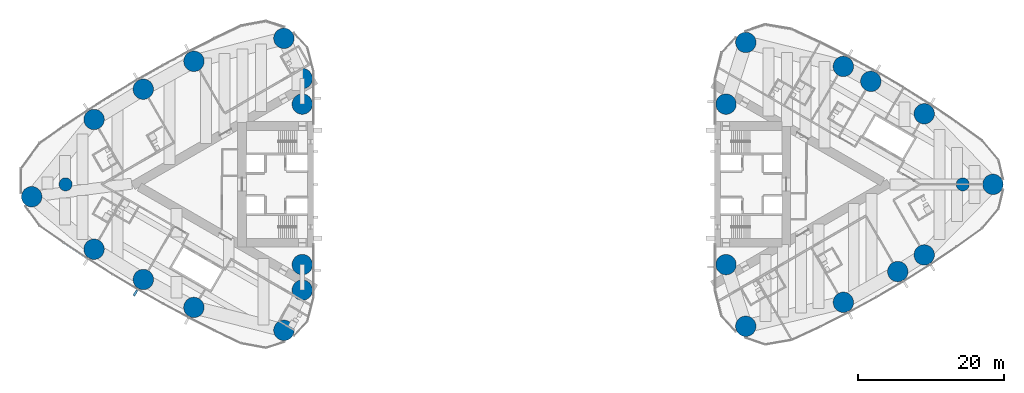
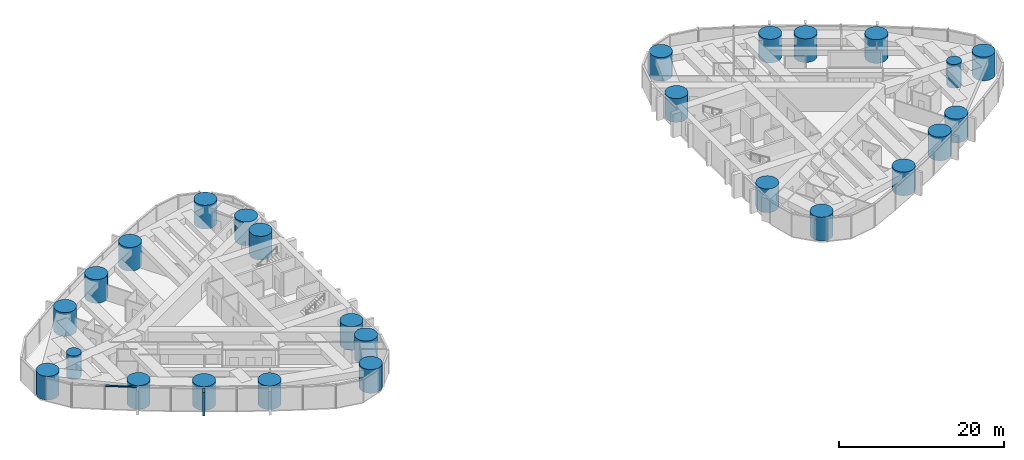
# One storey, part 1 of 18: 26 columns, 2 members, 1 element without a shape of its own.
"""IFC4 building model written with IfcOpenShell, lengths in metres."""

from ifc_helpers import new_model, si_unit, direction, frame, origin, origin_2d, place, context, subcontext, project, spatial, rectangle, circle, extrude, material, material_profile, profile_set, type_object, element, aggregate, save


model = new_model("IFC4")

# Units and contexts
model_context = context("Model", 3, precision=1e-05, world=origin(), true_north=direction((0.0, 1.0)))
body_context = subcontext(model_context, "Body", "Model", "MODEL_VIEW")
ifc_project = project(units=[si_unit("LENGTHUNIT", "METRE"), si_unit("AREAUNIT", "SQUARE_METRE"), si_unit("VOLUMEUNIT", "CUBIC_METRE"), si_unit("PLANEANGLEUNIT", "RADIAN"), si_unit("MASSUNIT", "GRAM", prefix="KILO")], contexts=[model_context])

# Site, building, storey
site_placement = place(None, origin())
site = spatial("IfcSite", under=ifc_project, at=site_placement, CompositionType="ELEMENT")
building_placement = place(site_placement, origin())
building = spatial("IfcBuilding", under=site, at=building_placement, Name="Lancet Gate Hotel", CompositionType="ELEMENT")
storey_placement = place(building_placement, frame((0.0, 0.0, 180.800048828125)))
storey = spatial("IfcBuildingStorey", under=building, at=storey_placement, Name="L48", CompositionType="ELEMENT", Elevation=180.800048828125)

# Columns
ifc_material_1 = material(Name="Concrete C60/75", Category="concrete")
ifc_material_profile_1 = material_profile(ifc_material_1, circle(Radius=0.89990234375, at=origin_2d()), Name="RC D1800")
ifc_profile_set_1 = profile_set([ifc_material_profile_1], Name="Concrete C60/75")
column_type_1 = type_object("IfcColumnType", Name="Apex column RC D1800", PredefinedType="COLUMN", material=ifc_profile_set_1)
for number, where, z_axis, x_axis, name in (
    (1, (-61.5, 0.0, 0.0), (0.0, 0.0, 1.0), (1.0, 0.0, 0.0), "T1 column AX L48"),
    (2, (61.5, 0.0, 0.0), (0.0, 0.0, 1.0), (1.0, 0.0, 0.0), "T2 column AX L48"),
):
    element("IfcColumn", number, at=place(storey_placement, frame(where, z_axis=z_axis, x_axis=x_axis)), inside=storey, type_object=column_type_1, Name=name, PredefinedType="COLUMN", context=body_context, shape_type="SweptSolid", body=[
        extrude(circle(Radius=0.89990234375, at=origin_2d()), origin(), (0.0, 0.0, 1.0), 3.5),
    ])
ifc_material_2 = material(Name="Concrete C60/75", Category="concrete")
ifc_material_profile_2 = material_profile(ifc_material_2, circle(Radius=1.39990234375, at=origin_2d()), Name="RC D2800")
ifc_profile_set_2 = profile_set([ifc_material_profile_2], Name="Concrete C60/75")
column_type_2 = type_object("IfcColumnType", Name="Perimeter column RC D2800", PredefinedType="COLUMN", material=ifc_profile_set_2)
for number, where, z_axis, x_axis, name in (
    (3, (-66.142578125, -1.6953125, 0.0), (0.0, 0.0, 1.0), (1.0, 0.0, 0.0), "T1 column CA L48"),
    (4, (-31.5654296875, -20.015869140625, 0.0), (0.0, 0.0, 1.0), (1.0, 0.0, 0.0), "T1 column CN L48"),
    (5, (-31.5654296875, 20.015869140625, 0.0), (0.0, 0.0, 1.0), (1.0, 0.0, 0.0), "T1 column CS L48"),
    (6, (-29.050048828125, -11.0, 0.0), (0.0, 0.0, 1.0), (1.0, 0.0, 0.0), "T1 column IN L48"),
    (7, (-29.050048828125, 11.0, 0.0), (0.0, 0.0, 1.0), (1.0, 0.0, 0.0), "T1 column IS L48"),
    (8, (-29.050048828125, 14.5, 0.0), (0.0, 0.0, 1.0), (1.0, 0.0, 0.0), "T1 column IT L48"),
    (9, (-29.050048828125, -14.5, 0.0), (0.0, 0.0, 1.0), (1.0, 0.0, 0.0), "T1 column JT L48"),
    (10, (-57.589599609375, -8.89306640625, 0.0), (0.0, 0.0, 1.0), (1.0, 0.0, 0.0), "T1 column ON1 L48"),
    (11, (-50.8388671875, -13.043212890625, 0.0), (0.0, 0.0, 1.0), (1.0, 0.0, 0.0), "T1 column ON2 L48"),
    (12, (-43.900390625, -16.871337890625, 0.0), (0.0, 0.0, 1.0), (1.0, 0.0, 0.0), "T1 column ON3 L48"),
    (13, (-43.900390625, 16.871337890625, 0.0), (0.0, 0.0, 1.0), (1.0, 0.0, 0.0), "T1 column OS1 L48"),
    (14, (-50.8388671875, 13.043212890625, 0.0), (0.0, 0.0, 1.0), (1.0, 0.0, 0.0), "T1 column OS2 L48"),
    (15, (-57.589599609375, 8.89306640625, 0.0), (0.0, 0.0, 1.0), (1.0, 0.0, 0.0), "T1 column OS3 L48"),
    (16, (65.6396484375, 0.0, 0.0), (0.0, 0.0, 1.0), (1.0, 0.0, 0.0), "T2 column CA L48"),
    (17, (31.759765625, 19.455810546875, 0.0), (0.0, 0.0, 1.0), (1.0, 0.0, 0.0), "T2 column CN L48"),
    (18, (31.759765625, -19.455810546875, 0.0), (0.0, 0.0, 1.0), (1.0, 0.0, 0.0), "T2 column CS L48"),
    (19, (29.050048828125, 11.0, 0.0), (0.0, 0.0, 1.0), (1.0, 0.0, 0.0), "T2 column IN L48"),
    (20, (29.050048828125, -11.0, 0.0), (0.0, 0.0, 1.0), (1.0, 0.0, 0.0), "T2 column IS L48"),
    (21, (56.220947265625, 9.67236328125, 0.0), (0.0, 0.0, 1.0), (1.0, 0.0, 0.0), "T2 column ON1 L48"),
    (22, (48.8974609375, 14.12060546875, 0.0), (0.0, 0.0, 1.0), (1.0, 0.0, 0.0), "T2 column ON2 L48"),
    (23, (45.133544921875, 16.16845703125, 0.0), (0.0, 0.0, 1.0), (1.0, 0.0, 0.0), "T2 column ON3 L48"),
    (24, (45.133544921875, -16.16845703125, 0.0), (0.0, 0.0, 1.0), (1.0, 0.0, 0.0), "T2 column OS1 L48"),
    (25, (52.594482421875, -11.95458984375, 0.0), (0.0, 0.0, 1.0), (1.0, 0.0, 0.0), "T2 column OS2 L48"),
    (26, (56.220947265625, -9.67236328125, 0.0), (0.0, 0.0, 1.0), (1.0, 0.0, 0.0), "T2 column OS3 L48"),
):
    element("IfcColumn", number, at=place(storey_placement, frame(where, z_axis=z_axis, x_axis=x_axis)), inside=storey, type_object=column_type_2, Name=name, PredefinedType="COLUMN", context=body_context, shape_type="SweptSolid", body=[
        extrude(circle(Radius=1.39990234375, at=origin_2d()), origin(), (0.0, 0.0, 1.0), 3.5),
    ])

# Curtain wall, members
ifc_material_3 = material(Name="Aluminium curtain wall", Category="aluminium")
curtain_wall_type = type_object("IfcCurtainWallType", Name="Tower unitised curtain wall", PredefinedType="USERDEFINED", material=ifc_material_3)
curtain_wall_placement = place(storey_placement, origin())
curtain_wall = element("IfcCurtainWall", 27, at=curtain_wall_placement, inside=storey, type_object=curtain_wall_type, Name="T1 L48 curtain wall 3", ObjectType="UNITISED CURTAIN WALL", PredefinedType="USERDEFINED")
ifc_material_4 = material(Name="Aluminium transom", Category="aluminium")
ifc_material_profile_3 = material_profile(ifc_material_4, rectangle(XDim=0.25, YDim=0.14990234375, at=origin_2d()), Name="TRANSOM 250x150")
ifc_profile_set_3 = profile_set([ifc_material_profile_3], Name="Aluminium transom")
member_type_1 = type_object("IfcMemberType", Name="Aluminium transom 250x150", PredefinedType="USERDEFINED", material=ifc_profile_set_3)
member_1_placement = place(storey_placement, frame((-61.735595703125, -7.998779296875, 3.425048828125), z_axis=(0.832870509189, -0.553467898729, 0.0), x_axis=(0.553467898729, 0.832870509189, 0.0)))
member_1 = element("IfcMember", 28, at=member_1_placement, type_object=member_type_1, Name="T1 L48 curtain wall 3 transom 3", ObjectType="TRANSOM", PredefinedType="USERDEFINED", context=body_context, shape_type="SweptSolid", body=[
    extrude(rectangle(XDim=0.25, YDim=0.14990234375, at=origin_2d()), origin(), (0.0, 0.0, 1.0), 3.933837890625),
])
ifc_material_5 = material(Name="Precast concrete C50/60", Category="concrete")
ifc_material_profile_4 = material_profile(ifc_material_5, rectangle(XDim=0.300048828125, YDim=0.89990234375, at=origin_2d()), Name="FIN 300x900")
ifc_profile_set_4 = profile_set([ifc_material_profile_4], Name="Precast concrete C50/60")
member_type_2 = type_object("IfcMemberType", Name="Exposed concrete fin 300x900", PredefinedType="USERDEFINED", material=ifc_profile_set_4)
member_2_placement = place(storey_placement, frame((-51.908935546875, -14.879150390625, 0.0), z_axis=(0.0, 0.0, 1.0), x_axis=(0.863968774311, -0.503545387245, 0.0)))
member_2 = element("IfcMember", 29, at=member_2_placement, type_object=member_type_2, Name="T1 L48 curtain wall 3 fin 6", ObjectType="FIN", PredefinedType="USERDEFINED", context=body_context, shape_type="SweptSolid", body=[
    extrude(rectangle(XDim=0.300048828125, YDim=0.89990234375, at=origin_2d()), origin(), (0.0, 0.0, 1.0), 3.5),
])
aggregate(curtain_wall, [member_2, member_1])

save(model, "model.ifc")
